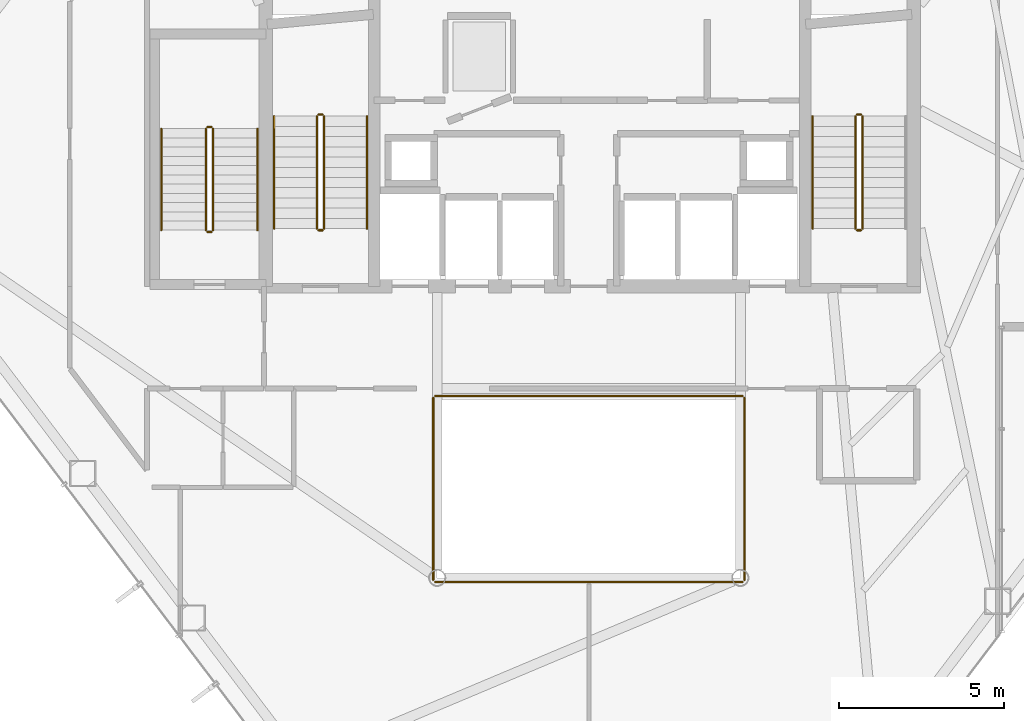
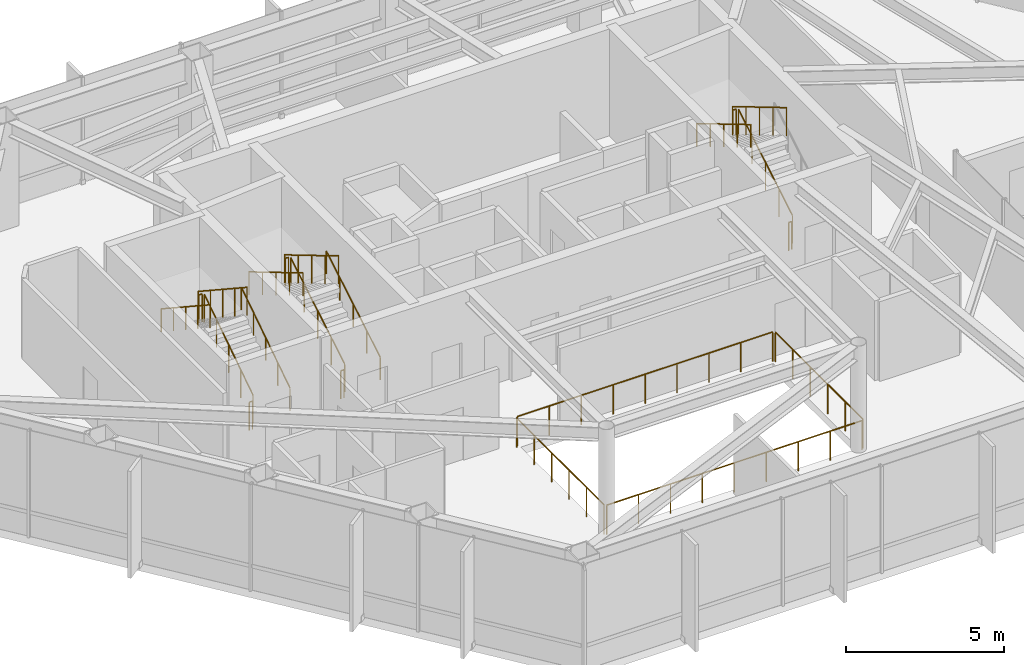
# One storey, part 25 of 27: 21 railings.
"""IFC4 building model written with IfcOpenShell, lengths in metres."""

from ifc_helpers import new_model, si_unit, direction, frame, origin, origin_2d, place, context, subcontext, project, spatial, circle, extrude, material, type_object, element, save


model = new_model("IFC4")

# Units and contexts
model_context = context("Model", 3, precision=1e-05, world=origin(), true_north=direction((0.0, 1.0)))
body_context = subcontext(model_context, "Body", "Model", "MODEL_VIEW")
ifc_project = project(units=[si_unit("LENGTHUNIT", "METRE"), si_unit("AREAUNIT", "SQUARE_METRE"), si_unit("VOLUMEUNIT", "CUBIC_METRE"), si_unit("PLANEANGLEUNIT", "RADIAN"), si_unit("MASSUNIT", "GRAM", prefix="KILO")], contexts=[model_context])

# Site, building, storey
site_placement = place(None, origin())
site = spatial("IfcSite", under=ifc_project, at=site_placement, CompositionType="ELEMENT")
building_placement = place(site_placement, origin())
building = spatial("IfcBuilding", under=site, at=building_placement, Name="Zarrinselat Tower", CompositionType="ELEMENT")
storey_placement = place(building_placement, frame((0.0, 0.0, 114.580078125)))
storey = spatial("IfcBuildingStorey", under=building, at=storey_placement, Name="L27", CompositionType="ELEMENT", Elevation=114.580078125)

# Railings
ifc_material_1 = material(Name="Double Low-E Laminated Solar Glass", Category="glass")
railing_type_1 = type_object("IfcRailingType", Name="RLG-ATRIUM-BAL", PredefinedType="BALUSTRADE", material=ifc_material_1)
railing_1_placement = place(storey_placement, frame((33.739990234375, 24.280029296875, 0.0)))
element("IfcRailing", 1, at=railing_1_placement, inside=storey, type_object=railing_type_1, Name="L27 Atrium Void Glass Balustrade S", PredefinedType="BALUSTRADE", context=body_context, shape_type="SweptSolid", body=[
    extrude(circle(Radius=0.02392578125, at=origin_2d()), frame((0.0, 0.0, 1.1259765625), z_axis=(1.0, 0.0, 0.0), x_axis=(0.0, 1.0, 0.0)), (0.0, 0.0, 1.0), 9.320068359375),
    extrude(circle(Radius=0.02099609375, at=origin_2d()), origin(), (0.0, 0.0, 1.0), 1.099853515625),
    extrude(circle(Radius=0.02099609375, at=origin_2d()), frame((1.1650390625, 0.0, 0.0)), (0.0, 0.0, 1.0), 1.099853515625),
    extrude(circle(Radius=0.02099609375, at=origin_2d()), frame((2.330078125, 0.0, 0.0)), (0.0, 0.0, 1.0), 1.099853515625),
    extrude(circle(Radius=0.02099609375, at=origin_2d()), frame((3.4951171875, 0.0, 0.0)), (0.0, 0.0, 1.0), 1.099853515625),
    extrude(circle(Radius=0.02099609375, at=origin_2d()), frame((4.66015625, 0.0, 0.0)), (0.0, 0.0, 1.0), 1.099853515625),
    extrude(circle(Radius=0.02099609375, at=origin_2d()), frame((5.824951171875, 0.0, 0.0)), (0.0, 0.0, 1.0), 1.099853515625),
    extrude(circle(Radius=0.02099609375, at=origin_2d()), frame((6.989990234375, 0.0, 0.0)), (0.0, 0.0, 1.0), 1.099853515625),
    extrude(circle(Radius=0.02099609375, at=origin_2d()), frame((8.155029296875, 0.0, 0.0)), (0.0, 0.0, 1.0), 1.099853515625),
    extrude(circle(Radius=0.02099609375, at=origin_2d()), frame((9.320068359375, 0.0, 0.0)), (0.0, 0.0, 1.0), 1.099853515625),
])
railing_2_placement = place(storey_placement, frame((43.1201171875, 24.340087890625, 0.0)))
element("IfcRailing", 2, at=railing_2_placement, inside=storey, type_object=railing_type_1, Name="L27 Atrium Void Glass Balustrade E", PredefinedType="BALUSTRADE", context=body_context, shape_type="SweptSolid", body=[
    extrude(circle(Radius=0.02392578125, at=origin_2d()), frame((0.0, 0.0, 1.1259765625), z_axis=(0.0, 1.0, 0.0), x_axis=(-1.0, 0.0, 0.0)), (0.0, 0.0, 1.0), 5.52001953125),
    extrude(circle(Radius=0.02099609375, at=origin_2d()), origin(), (0.0, 0.0, 1.0), 1.099853515625),
    extrude(circle(Radius=0.02099609375, at=origin_2d()), frame((0.0, 1.10400390625, 0.0)), (0.0, 0.0, 1.0), 1.099853515625),
    extrude(circle(Radius=0.02099609375, at=origin_2d()), frame((0.0, 2.2080078125, 0.0)), (0.0, 0.0, 1.0), 1.099853515625),
    extrude(circle(Radius=0.02099609375, at=origin_2d()), frame((0.0, 3.31201171875, 0.0)), (0.0, 0.0, 1.0), 1.099853515625),
    extrude(circle(Radius=0.02099609375, at=origin_2d()), frame((0.0, 4.416015625, 0.0)), (0.0, 0.0, 1.0), 1.099853515625),
    extrude(circle(Radius=0.02099609375, at=origin_2d()), frame((0.0, 5.52001953125, 0.0)), (0.0, 0.0, 1.0), 1.099853515625),
])
railing_3_placement = place(storey_placement, frame((43.06005859375, 29.919921875, 0.0)))
element("IfcRailing", 3, at=railing_3_placement, inside=storey, type_object=railing_type_1, Name="L27 Atrium Void Glass Balustrade N", PredefinedType="BALUSTRADE", context=body_context, shape_type="SweptSolid", body=[
    extrude(circle(Radius=0.02392578125, at=origin_2d()), frame((0.0, 0.0, 1.1259765625), z_axis=(-1.0, 0.0, 0.0), x_axis=(0.0, -1.0, 0.0)), (0.0, 0.0, 1.0), 9.320068359375),
    extrude(circle(Radius=0.02099609375, at=origin_2d()), origin(), (0.0, 0.0, 1.0), 1.099853515625),
    extrude(circle(Radius=0.02099609375, at=origin_2d()), frame((-1.1650390625, 0.0, 0.0)), (0.0, 0.0, 1.0), 1.099853515625),
    extrude(circle(Radius=0.02099609375, at=origin_2d()), frame((-2.330078125, 0.0, 0.0)), (0.0, 0.0, 1.0), 1.099853515625),
    extrude(circle(Radius=0.02099609375, at=origin_2d()), frame((-3.4951171875, 0.0, 0.0)), (0.0, 0.0, 1.0), 1.099853515625),
    extrude(circle(Radius=0.02099609375, at=origin_2d()), frame((-4.66015625, 0.0, 0.0)), (0.0, 0.0, 1.0), 1.099853515625),
    extrude(circle(Radius=0.02099609375, at=origin_2d()), frame((-5.824951171875, 0.0, 0.0)), (0.0, 0.0, 1.0), 1.099853515625),
    extrude(circle(Radius=0.02099609375, at=origin_2d()), frame((-6.989990234375, 0.0, 0.0)), (0.0, 0.0, 1.0), 1.099853515625),
    extrude(circle(Radius=0.02099609375, at=origin_2d()), frame((-8.155029296875, 0.0, 0.0)), (0.0, 0.0, 1.0), 1.099853515625),
    extrude(circle(Radius=0.02099609375, at=origin_2d()), frame((-9.320068359375, 0.0, 0.0)), (0.0, 0.0, 1.0), 1.099853515625),
])
railing_4_placement = place(storey_placement, frame((33.679931640625, 29.860107421875, 0.0)))
element("IfcRailing", 4, at=railing_4_placement, inside=storey, type_object=railing_type_1, Name="L27 Atrium Void Glass Balustrade W", PredefinedType="BALUSTRADE", context=body_context, shape_type="SweptSolid", body=[
    extrude(circle(Radius=0.02392578125, at=origin_2d()), frame((0.0, 0.0, 1.1259765625), z_axis=(0.0, -1.0, 0.0), x_axis=(1.0, 0.0, 0.0)), (0.0, 0.0, 1.0), 5.52001953125),
    extrude(circle(Radius=0.02099609375, at=origin_2d()), origin(), (0.0, 0.0, 1.0), 1.099853515625),
    extrude(circle(Radius=0.02099609375, at=origin_2d()), frame((0.0, -1.10400390625, 0.0)), (0.0, 0.0, 1.0), 1.099853515625),
    extrude(circle(Radius=0.02099609375, at=origin_2d()), frame((0.0, -2.2080078125, 0.0)), (0.0, 0.0, 1.0), 1.099853515625),
    extrude(circle(Radius=0.02099609375, at=origin_2d()), frame((0.0, -3.31201171875, 0.0)), (0.0, 0.0, 1.0), 1.099853515625),
    extrude(circle(Radius=0.02099609375, at=origin_2d()), frame((0.0, -4.416015625, 0.0)), (0.0, 0.0, 1.0), 1.099853515625),
    extrude(circle(Radius=0.02099609375, at=origin_2d()), frame((0.0, -5.52001953125, 0.0)), (0.0, 0.0, 1.0), 1.099853515625),
])
ifc_material_2 = material(Name="Steel S355J2", Category="steel")
railing_type_2 = type_object("IfcRailingType", Name="RLG-STAIR-GUARD", PredefinedType="GUARDRAIL", material=ifc_material_2)
railing_5_placement = place(storey_placement, frame((30.3701171875, 35.0, 0.18408203125)))
element("IfcRailing", 5, at=railing_5_placement, inside=storey, type_object=railing_type_2, Name="L27 ST-1 stair guard 1", PredefinedType="GUARDRAIL", context=body_context, shape_type="SweptSolid", body=[
    extrude(circle(Radius=0.02392578125, at=origin_2d()), frame((0.0, 0.0, 1.076171875), z_axis=(0.0, 0.85971707285, 0.510770549904), x_axis=(-1.0, 0.0, 0.0)), (0.0, 0.0, 1.0), 3.96630859375),
    extrude(circle(Radius=0.02099609375, at=origin_2d()), origin(), (0.0, 0.0, 1.0), 1.050048828125),
    extrude(circle(Radius=0.02099609375, at=origin_2d()), frame((0.0, 0.8525390625, 0.50634765625)), (0.0, 0.0, 1.0), 1.050048828125),
    extrude(circle(Radius=0.02099609375, at=origin_2d()), frame((0.0, 1.705078125, 1.012939453125)), (0.0, 0.0, 1.0), 1.050048828125),
    extrude(circle(Radius=0.02099609375, at=origin_2d()), frame((0.0, 2.557373046875, 1.51953125)), (0.0, 0.0, 1.0), 1.050048828125),
    extrude(circle(Radius=0.02099609375, at=origin_2d()), frame((0.0, 3.409912109375, 2.02587890625)), (0.0, 0.0, 1.0), 1.050048828125),
])
railing_6_placement = place(storey_placement, frame((30.320068359375, 38.4599609375, 2.2099609375)))
element("IfcRailing", 6, at=railing_6_placement, inside=storey, type_object=railing_type_2, Name="L27 ST-1 stair guard 2", PredefinedType="GUARDRAIL", context=body_context, shape_type="SweptSolid", body=[
    extrude(circle(Radius=0.02392578125, at=origin_2d()), frame((0.0, 0.0, 1.076171875), z_axis=(-1.0, 0.0, 0.0), x_axis=(0.0, -1.0, 0.0)), (0.0, 0.0, 1.0), 0.1201171875),
    extrude(circle(Radius=0.02099609375, at=origin_2d()), origin(), (0.0, 0.0, 1.0), 1.050048828125),
    extrude(circle(Radius=0.02099609375, at=origin_2d()), frame((-0.1201171875, 0.0, 0.0)), (0.0, 0.0, 1.0), 1.050048828125),
])
railing_7_placement = place(storey_placement, frame((30.14990234375, 38.409912109375, 2.39404296875)))
element("IfcRailing", 7, at=railing_7_placement, inside=storey, type_object=railing_type_2, Name="L27 ST-1 stair guard 3", PredefinedType="GUARDRAIL", context=body_context, shape_type="SweptSolid", body=[
    extrude(circle(Radius=0.02392578125, at=origin_2d()), frame((0.0, 0.0, 1.076171875), z_axis=(0.0, -0.85971707285, 0.510770549904), x_axis=(1.0, 0.0, 0.0)), (0.0, 0.0, 1.0), 3.96630859375),
    extrude(circle(Radius=0.02099609375, at=origin_2d()), origin(), (0.0, 0.0, 1.0), 1.050048828125),
    extrude(circle(Radius=0.02099609375, at=origin_2d()), frame((0.0, -0.8525390625, 0.50634765625)), (0.0, 0.0, 1.0), 1.050048828125),
    extrude(circle(Radius=0.02099609375, at=origin_2d()), frame((0.0, -1.705078125, 1.012939453125)), (0.0, 0.0, 1.0), 1.050048828125),
    extrude(circle(Radius=0.02099609375, at=origin_2d()), frame((0.0, -2.557373046875, 1.51953125)), (0.0, 0.0, 1.0), 1.050048828125),
    extrude(circle(Radius=0.02099609375, at=origin_2d()), frame((0.0, -3.409912109375, 2.02587890625)), (0.0, 0.0, 1.0), 1.050048828125),
])
railing_8_placement = place(storey_placement, frame((30.320068359375, 34.949951171875, 0.0)))
element("IfcRailing", 8, at=railing_8_placement, inside=storey, type_object=railing_type_2, Name="L27 ST-1 stair guard 4", PredefinedType="GUARDRAIL", context=body_context, shape_type="SweptSolid", body=[
    extrude(circle(Radius=0.02392578125, at=origin_2d()), frame((0.0, 0.0, 1.076171875), z_axis=(-1.0, 0.0, 0.0), x_axis=(0.0, -1.0, 0.0)), (0.0, 0.0, 1.0), 0.1201171875),
    extrude(circle(Radius=0.02099609375, at=origin_2d()), origin(), (0.0, 0.0, 1.0), 1.050048828125),
    extrude(circle(Radius=0.02099609375, at=origin_2d()), frame((-0.1201171875, 0.0, 0.0)), (0.0, 0.0, 1.0), 1.050048828125),
])
railing_9_placement = place(storey_placement, frame((46.7099609375, 35.0, 0.18408203125)))
element("IfcRailing", 9, at=railing_9_placement, inside=storey, type_object=railing_type_2, Name="L27 ST-2 stair guard 1", PredefinedType="GUARDRAIL", context=body_context, shape_type="SweptSolid", body=[
    extrude(circle(Radius=0.02392578125, at=origin_2d()), frame((0.0, 0.0, 1.076171875), z_axis=(0.0, 0.85971707285, 0.510770549904), x_axis=(-1.0, 0.0, 0.0)), (0.0, 0.0, 1.0), 3.96630859375),
    extrude(circle(Radius=0.02099609375, at=origin_2d()), origin(), (0.0, 0.0, 1.0), 1.050048828125),
    extrude(circle(Radius=0.02099609375, at=origin_2d()), frame((0.0, 0.8525390625, 0.50634765625)), (0.0, 0.0, 1.0), 1.050048828125),
    extrude(circle(Radius=0.02099609375, at=origin_2d()), frame((0.0, 1.705078125, 1.012939453125)), (0.0, 0.0, 1.0), 1.050048828125),
    extrude(circle(Radius=0.02099609375, at=origin_2d()), frame((0.0, 2.557373046875, 1.51953125)), (0.0, 0.0, 1.0), 1.050048828125),
    extrude(circle(Radius=0.02099609375, at=origin_2d()), frame((0.0, 3.409912109375, 2.02587890625)), (0.0, 0.0, 1.0), 1.050048828125),
])
railing_10_placement = place(storey_placement, frame((46.659912109375, 38.4599609375, 2.2099609375)))
element("IfcRailing", 10, at=railing_10_placement, inside=storey, type_object=railing_type_2, Name="L27 ST-2 stair guard 2", PredefinedType="GUARDRAIL", context=body_context, shape_type="SweptSolid", body=[
    extrude(circle(Radius=0.02392578125, at=origin_2d()), frame((0.0, 0.0, 1.076171875), z_axis=(-1.0, 0.0, 0.0), x_axis=(0.0, -1.0, 0.0)), (0.0, 0.0, 1.0), 0.119873046875),
    extrude(circle(Radius=0.02099609375, at=origin_2d()), origin(), (0.0, 0.0, 1.0), 1.050048828125),
    extrude(circle(Radius=0.02099609375, at=origin_2d()), frame((-0.119873046875, 0.0, 0.0)), (0.0, 0.0, 1.0), 1.050048828125),
])
railing_11_placement = place(storey_placement, frame((46.489990234375, 38.409912109375, 2.39404296875)))
element("IfcRailing", 11, at=railing_11_placement, inside=storey, type_object=railing_type_2, Name="L27 ST-2 stair guard 3", PredefinedType="GUARDRAIL", context=body_context, shape_type="SweptSolid", body=[
    extrude(circle(Radius=0.02392578125, at=origin_2d()), frame((0.0, 0.0, 1.076171875), z_axis=(0.0, -0.85971707285, 0.510770549904), x_axis=(1.0, 0.0, 0.0)), (0.0, 0.0, 1.0), 3.96630859375),
    extrude(circle(Radius=0.02099609375, at=origin_2d()), origin(), (0.0, 0.0, 1.0), 1.050048828125),
    extrude(circle(Radius=0.02099609375, at=origin_2d()), frame((0.0, -0.8525390625, 0.50634765625)), (0.0, 0.0, 1.0), 1.050048828125),
    extrude(circle(Radius=0.02099609375, at=origin_2d()), frame((0.0, -1.705078125, 1.012939453125)), (0.0, 0.0, 1.0), 1.050048828125),
    extrude(circle(Radius=0.02099609375, at=origin_2d()), frame((0.0, -2.557373046875, 1.51953125)), (0.0, 0.0, 1.0), 1.050048828125),
    extrude(circle(Radius=0.02099609375, at=origin_2d()), frame((0.0, -3.409912109375, 2.02587890625)), (0.0, 0.0, 1.0), 1.050048828125),
])
railing_12_placement = place(storey_placement, frame((46.659912109375, 34.949951171875, 0.0)))
element("IfcRailing", 12, at=railing_12_placement, inside=storey, type_object=railing_type_2, Name="L27 ST-2 stair guard 4", PredefinedType="GUARDRAIL", context=body_context, shape_type="SweptSolid", body=[
    extrude(circle(Radius=0.02392578125, at=origin_2d()), frame((0.0, 0.0, 1.076171875), z_axis=(-1.0, 0.0, 0.0), x_axis=(0.0, -1.0, 0.0)), (0.0, 0.0, 1.0), 0.119873046875),
    extrude(circle(Radius=0.02099609375, at=origin_2d()), origin(), (0.0, 0.0, 1.0), 1.050048828125),
    extrude(circle(Radius=0.02099609375, at=origin_2d()), frame((-0.119873046875, 0.0, 0.0)), (0.0, 0.0, 1.0), 1.050048828125),
])
railing_13_placement = place(storey_placement, frame((27.0, 34.949951171875, 0.18408203125)))
element("IfcRailing", 13, at=railing_13_placement, inside=storey, type_object=railing_type_2, Name="L27 ST-3 stair guard 1", PredefinedType="GUARDRAIL", context=body_context, shape_type="SweptSolid", body=[
    extrude(circle(Radius=0.02392578125, at=origin_2d()), frame((0.0, 0.0, 1.076171875), z_axis=(0.0, 0.835477891525, 0.549524060231), x_axis=(-1.0, 0.0, 0.0)), (0.0, 0.0, 1.0), 3.6865234375),
    extrude(circle(Radius=0.02099609375, at=origin_2d()), origin(), (0.0, 0.0, 1.0), 1.050048828125),
    extrude(circle(Radius=0.02099609375, at=origin_2d()), frame((0.0, 0.77001953125, 0.50634765625)), (0.0, 0.0, 1.0), 1.050048828125),
    extrude(circle(Radius=0.02099609375, at=origin_2d()), frame((0.0, 1.5400390625, 1.012939453125)), (0.0, 0.0, 1.0), 1.050048828125),
    extrude(circle(Radius=0.02099609375, at=origin_2d()), frame((0.0, 2.31005859375, 1.51953125)), (0.0, 0.0, 1.0), 1.050048828125),
    extrude(circle(Radius=0.02099609375, at=origin_2d()), frame((0.0, 3.080078125, 2.02587890625)), (0.0, 0.0, 1.0), 1.050048828125),
])
railing_14_placement = place(storey_placement, frame((26.949951171875, 38.080078125, 2.2099609375)))
element("IfcRailing", 14, at=railing_14_placement, inside=storey, type_object=railing_type_2, Name="L27 ST-3 stair guard 2", PredefinedType="GUARDRAIL", context=body_context, shape_type="SweptSolid", body=[
    extrude(circle(Radius=0.02392578125, at=origin_2d()), frame((0.0, 0.0, 1.076171875), z_axis=(-1.0, 0.0, 0.0), x_axis=(0.0, -1.0, 0.0)), (0.0, 0.0, 1.0), 0.119873046875),
    extrude(circle(Radius=0.02099609375, at=origin_2d()), origin(), (0.0, 0.0, 1.0), 1.050048828125),
    extrude(circle(Radius=0.02099609375, at=origin_2d()), frame((-0.119873046875, 0.0, 0.0)), (0.0, 0.0, 1.0), 1.050048828125),
])
railing_15_placement = place(storey_placement, frame((26.780029296875, 38.030029296875, 2.39404296875)))
element("IfcRailing", 15, at=railing_15_placement, inside=storey, type_object=railing_type_2, Name="L27 ST-3 stair guard 3", PredefinedType="GUARDRAIL", context=body_context, shape_type="SweptSolid", body=[
    extrude(circle(Radius=0.02392578125, at=origin_2d()), frame((0.0, 0.0, 1.076171875), z_axis=(0.0, -0.835477891525, 0.549524060231), x_axis=(1.0, 0.0, 0.0)), (0.0, 0.0, 1.0), 3.6865234375),
    extrude(circle(Radius=0.02099609375, at=origin_2d()), origin(), (0.0, 0.0, 1.0), 1.050048828125),
    extrude(circle(Radius=0.02099609375, at=origin_2d()), frame((0.0, -0.77001953125, 0.50634765625)), (0.0, 0.0, 1.0), 1.050048828125),
    extrude(circle(Radius=0.02099609375, at=origin_2d()), frame((0.0, -1.5400390625, 1.012939453125)), (0.0, 0.0, 1.0), 1.050048828125),
    extrude(circle(Radius=0.02099609375, at=origin_2d()), frame((0.0, -2.31005859375, 1.51953125)), (0.0, 0.0, 1.0), 1.050048828125),
    extrude(circle(Radius=0.02099609375, at=origin_2d()), frame((0.0, -3.080078125, 2.02587890625)), (0.0, 0.0, 1.0), 1.050048828125),
])
railing_16_placement = place(storey_placement, frame((26.949951171875, 34.89990234375, 0.0)))
element("IfcRailing", 16, at=railing_16_placement, inside=storey, type_object=railing_type_2, Name="L27 ST-3 stair guard 4", PredefinedType="GUARDRAIL", context=body_context, shape_type="SweptSolid", body=[
    extrude(circle(Radius=0.02392578125, at=origin_2d()), frame((0.0, 0.0, 1.076171875), z_axis=(-1.0, 0.0, 0.0), x_axis=(0.0, -1.0, 0.0)), (0.0, 0.0, 1.0), 0.119873046875),
    extrude(circle(Radius=0.02099609375, at=origin_2d()), origin(), (0.0, 0.0, 1.0), 1.050048828125),
    extrude(circle(Radius=0.02099609375, at=origin_2d()), frame((-0.119873046875, 0.0, 0.0)), (0.0, 0.0, 1.0), 1.050048828125),
])
ifc_material_3 = material(Name="Steel S355J2", Category="steel")
railing_type_3 = type_object("IfcRailingType", Name="RLG-STAIR-HAND", PredefinedType="HANDRAIL", material=ifc_material_3)
railing_17_placement = place(storey_placement, frame((31.669921875, 35.0, 0.18408203125)))
element("IfcRailing", 17, at=railing_17_placement, inside=storey, type_object=railing_type_3, Name="L27 ST-1 stair handrail 1", PredefinedType="HANDRAIL", context=body_context, shape_type="SweptSolid", body=[
    extrude(circle(Radius=0.02392578125, at=origin_2d()), frame((0.0, 0.0, 0.8759765625), z_axis=(0.0, 0.85971707285, 0.510770549904), x_axis=(-1.0, 0.0, 0.0)), (0.0, 0.0, 1.0), 3.96630859375),
    extrude(circle(Radius=0.02099609375, at=origin_2d()), origin(), (0.0, 0.0, 1.0), 0.849853515625),
    extrude(circle(Radius=0.02099609375, at=origin_2d()), frame((0.0, 0.8525390625, 0.50634765625)), (0.0, 0.0, 1.0), 0.849853515625),
    extrude(circle(Radius=0.02099609375, at=origin_2d()), frame((0.0, 1.705078125, 1.012939453125)), (0.0, 0.0, 1.0), 0.849853515625),
    extrude(circle(Radius=0.02099609375, at=origin_2d()), frame((0.0, 2.557373046875, 1.51953125)), (0.0, 0.0, 1.0), 0.849853515625),
    extrude(circle(Radius=0.02099609375, at=origin_2d()), frame((0.0, 3.409912109375, 2.02587890625)), (0.0, 0.0, 1.0), 0.849853515625),
])
for number, where, name in (
    (18, (28.85009765625, 38.409912109375, 2.39404296875), "L27 ST-1 stair handrail 2"),
    (19, (45.18994140625, 38.409912109375, 2.39404296875), "L27 ST-2 stair handrail 2"),
):
    element("IfcRailing", number, at=place(storey_placement, frame(where)), inside=storey, type_object=railing_type_3, Name=name, PredefinedType="HANDRAIL", context=body_context, shape_type="SweptSolid", body=[
        extrude(circle(Radius=0.02392578125, at=origin_2d()), frame((0.0, 0.0, 0.8759765625), z_axis=(0.0, -0.85971707285, 0.510770549904), x_axis=(1.0, 0.0, 0.0)), (0.0, 0.0, 1.0), 3.96630859375),
        extrude(circle(Radius=0.02099609375, at=origin_2d()), origin(), (0.0, 0.0, 1.0), 0.849853515625),
        extrude(circle(Radius=0.02099609375, at=origin_2d()), frame((0.0, -0.8525390625, 0.50634765625)), (0.0, 0.0, 1.0), 0.849853515625),
        extrude(circle(Radius=0.02099609375, at=origin_2d()), frame((0.0, -1.705078125, 1.012939453125)), (0.0, 0.0, 1.0), 0.849853515625),
        extrude(circle(Radius=0.02099609375, at=origin_2d()), frame((0.0, -2.557373046875, 1.51953125)), (0.0, 0.0, 1.0), 0.849853515625),
        extrude(circle(Radius=0.02099609375, at=origin_2d()), frame((0.0, -3.409912109375, 2.02587890625)), (0.0, 0.0, 1.0), 0.849853515625),
    ])
railing_18_placement = place(storey_placement, frame((28.35009765625, 34.949951171875, 0.18408203125)))
element("IfcRailing", 20, at=railing_18_placement, inside=storey, type_object=railing_type_3, Name="L27 ST-3 stair handrail 1", PredefinedType="HANDRAIL", context=body_context, shape_type="SweptSolid", body=[
    extrude(circle(Radius=0.02392578125, at=origin_2d()), frame((0.0, 0.0, 0.8759765625), z_axis=(0.0, 0.835477891525, 0.549524060231), x_axis=(-1.0, 0.0, 0.0)), (0.0, 0.0, 1.0), 3.6865234375),
    extrude(circle(Radius=0.02099609375, at=origin_2d()), origin(), (0.0, 0.0, 1.0), 0.849853515625),
    extrude(circle(Radius=0.02099609375, at=origin_2d()), frame((0.0, 0.77001953125, 0.50634765625)), (0.0, 0.0, 1.0), 0.849853515625),
    extrude(circle(Radius=0.02099609375, at=origin_2d()), frame((0.0, 1.5400390625, 1.012939453125)), (0.0, 0.0, 1.0), 0.849853515625),
    extrude(circle(Radius=0.02099609375, at=origin_2d()), frame((0.0, 2.31005859375, 1.51953125)), (0.0, 0.0, 1.0), 0.849853515625),
    extrude(circle(Radius=0.02099609375, at=origin_2d()), frame((0.0, 3.080078125, 2.02587890625)), (0.0, 0.0, 1.0), 0.849853515625),
])
railing_19_placement = place(storey_placement, frame((25.429931640625, 38.030029296875, 2.39404296875)))
element("IfcRailing", 21, at=railing_19_placement, inside=storey, type_object=railing_type_3, Name="L27 ST-3 stair handrail 2", PredefinedType="HANDRAIL", context=body_context, shape_type="SweptSolid", body=[
    extrude(circle(Radius=0.02392578125, at=origin_2d()), frame((0.0, 0.0, 0.8759765625), z_axis=(0.0, -0.835477891525, 0.549524060231), x_axis=(1.0, 0.0, 0.0)), (0.0, 0.0, 1.0), 3.6865234375),
    extrude(circle(Radius=0.02099609375, at=origin_2d()), origin(), (0.0, 0.0, 1.0), 0.849853515625),
    extrude(circle(Radius=0.02099609375, at=origin_2d()), frame((0.0, -0.77001953125, 0.50634765625)), (0.0, 0.0, 1.0), 0.849853515625),
    extrude(circle(Radius=0.02099609375, at=origin_2d()), frame((0.0, -1.5400390625, 1.012939453125)), (0.0, 0.0, 1.0), 0.849853515625),
    extrude(circle(Radius=0.02099609375, at=origin_2d()), frame((0.0, -2.31005859375, 1.51953125)), (0.0, 0.0, 1.0), 0.849853515625),
    extrude(circle(Radius=0.02099609375, at=origin_2d()), frame((0.0, -3.080078125, 2.02587890625)), (0.0, 0.0, 1.0), 0.849853515625),
])

save(model, "model.ifc")
